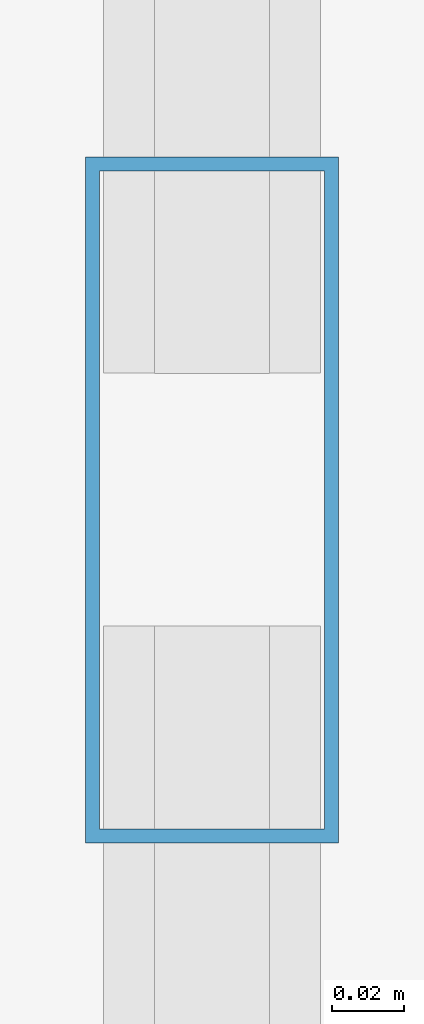
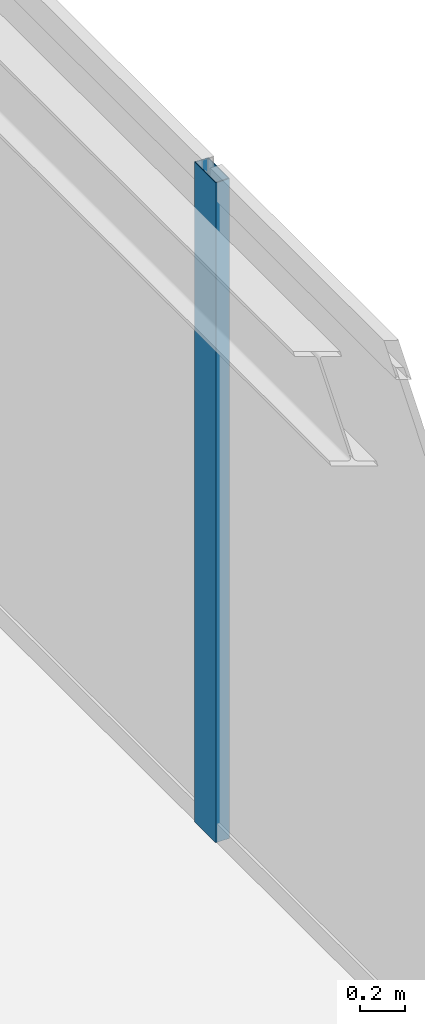
# One storey, part 20 of 32: 1 member, 1 element without a shape of its own.
"""IFC4 building model written with IfcOpenShell, lengths in metres."""

import ifcopenshell
import ifcopenshell.guid

model = None  # the IFC model being written
_history = None  # IfcOwnerHistory: only IFC2X3 demands one
_inside = {}  # id of a spatial element -> (the spatial element, [elements in it])
_under = {}  # id of a project, library or spatial element -> (it, [spatial elements below it])
_declared = {}  # id of a project -> (the project, [libraries it declares])
_typed = {}  # id of a type object -> (the type object, [elements of that type])
_made_of = {}  # id of a material, layer set ... -> (it, [elements and type objects made of it])


def new_model(schema):
    """Start an empty IFC model of exactly this schema.

    Asked for "IFC4X3", IfcOpenShell would pick the latest addendum, in which some entities
    have other attributes; the version numbers below select the first issue.
    IFC2X3 requires an IfcOwnerHistory on every rooted entity: one is made here for all.
    """
    global model, _history
    if schema == "IFC4X3":
        model = ifcopenshell.file(schema_version=(4, 3, 0, 0))
    else:
        model = ifcopenshell.file(schema=schema)
    _inside.clear()
    _under.clear()
    _declared.clear()
    _typed.clear()
    _made_of.clear()
    _history = None
    if model.schema == "IFC2X3":
        org = make("IfcOrganization", Name="unknown")
        user = make(
            "IfcPersonAndOrganization",
            ThePerson=make("IfcPerson", FamilyName="unknown"),
            TheOrganization=org,
        )
        app = make(
            "IfcApplication",
            ApplicationDeveloper=org,
            Version="unknown",
            ApplicationFullName="unknown",
            ApplicationIdentifier="unknown",
        )
        _history = make(
            "IfcOwnerHistory",
            OwningUser=user,
            OwningApplication=app,
            ChangeAction="ADDED",
            CreationDate=0,
        )
    return model


def make(cls, **values):
    """One entity of the class cls with the attributes given. An attribute that is None is left unset."""
    return model.create_entity(
        cls, **{name: value for name, value in values.items() if value is not None}
    )


def rooted(cls, **values):
    """An entity with a GlobalId (a new one), such as an element, a storey or a relation."""
    return make(cls, GlobalId=ifcopenshell.guid.new(), OwnerHistory=_history, **values)


def si_unit(unit_type, name, prefix=None):
    """IfcSIUnit, for example si_unit("LENGTHUNIT", "METRE", prefix="MILLI")."""
    return make("IfcSIUnit", UnitType=unit_type, Prefix=prefix, Name=name)


def assignment(units):
    """IfcUnitAssignment: the units of a project."""
    return None if units is None else make("IfcUnitAssignment", Units=units)


def point(xyz):
    """IfcCartesianPoint."""
    return None if xyz is None else make("IfcCartesianPoint", Coordinates=xyz)


def direction(xyz):
    """IfcDirection."""
    return None if xyz is None else make("IfcDirection", DirectionRatios=xyz)


def frame(location, z_axis=None, x_axis=None):
    """IfcAxis2Placement3D, a coordinate frame: its origin and axes. An axis left out is left unset."""
    return make(
        "IfcAxis2Placement3D",
        Location=point(location),
        Axis=direction(z_axis),
        RefDirection=direction(x_axis),
    )


def frame_2d(location, x_axis=None):
    """IfcAxis2Placement2D, a coordinate frame in the plane: its origin and x axis."""
    return make(
        "IfcAxis2Placement2D", Location=point(location), RefDirection=direction(x_axis)
    )


def origin():
    """The frame at (0, 0, 0) with its axes left unset."""
    return frame((0.0, 0.0, 0.0))


def origin_2d():
    """The frame at (0, 0) in the plane with its x axis left unset."""
    return frame_2d((0.0, 0.0))


def place(relative_to, where):
    """IfcLocalPlacement: puts the frame where relative to a parent placement (None: the world)."""
    return make(
        "IfcLocalPlacement", PlacementRelTo=relative_to, RelativePlacement=where
    )


def context(
    kind, dimensions, precision=None, world=None, true_north=None, identifier=None
):
    """IfcGeometricRepresentationContext, for example the 3D "Model" context."""
    return make(
        "IfcGeometricRepresentationContext",
        ContextIdentifier=identifier,
        ContextType=kind,
        CoordinateSpaceDimension=dimensions,
        Precision=precision,
        WorldCoordinateSystem=world,
        TrueNorth=true_north,
    )


def subcontext(parent, identifier, kind, view, scale=None):
    """IfcGeometricRepresentationSubContext, for example "Body" below "Model"."""
    return make(
        "IfcGeometricRepresentationSubContext",
        ContextIdentifier=identifier,
        ContextType=kind,
        ParentContext=parent,
        TargetScale=scale,
        TargetView=view,
    )


def project(units=None, contexts=None):
    """IfcProject with its units and contexts."""
    return rooted(
        "IfcProject",
        Name="project",
        RepresentationContexts=contexts,
        UnitsInContext=assignment(units),
    )


def spatial(cls, under=None, at=None, **own):
    """A site, building, storey or space (cls), placed at a placement, below another one or the project."""
    s = rooted(cls, ObjectPlacement=at, **own)
    if under is not None:
        _under.setdefault(under.id(), (under, []))[1].append(s)
    return s


def profile(cls, at=None, kind="AREA", **sizes):
    """A parametric profile (cls). Its sizes go by their IFC names, for example OverallWidth=200.0."""
    return make(cls, ProfileType=kind, Position=at, **sizes)


def hollow_rectangle(**sizes):
    """IfcRectangleHollowProfileDef."""
    return profile("IfcRectangleHollowProfileDef", **sizes)


def extrude(swept, where, along, depth):
    """IfcExtrudedAreaSolid: the profile swept, set in the frame where, extruded along a direction by depth."""
    return make(
        "IfcExtrudedAreaSolid",
        SweptArea=swept,
        Position=where,
        ExtrudedDirection=direction(along),
        Depth=depth,
    )


def shape(context_of_items, identifier, shape_type, items):
    """IfcShapeRepresentation: the items that make up one representation, for example the "Body"."""
    return make(
        "IfcShapeRepresentation",
        ContextOfItems=context_of_items,
        RepresentationIdentifier=identifier,
        RepresentationType=shape_type,
        Items=items,
    )


def source(mapping_origin, context_of_items, identifier, shape_type, items):
    """IfcRepresentationMap: a shape defined once, which mapped items show again and again."""
    return make(
        "IfcRepresentationMap",
        MappingOrigin=mapping_origin,
        MappedRepresentation=shape(context_of_items, identifier, shape_type, items),
    )


def transform(
    local_origin,
    x_axis=None,
    y_axis=None,
    z_axis=None,
    scale=None,
    scale2=None,
    scale3=None,
    uniform=True,
):
    """IfcCartesianTransformationOperator3D, or its non-uniform kind. x_axis, y_axis, z_axis: its Axis1, 2, 3."""
    if uniform:
        return make(
            "IfcCartesianTransformationOperator3D",
            Axis1=direction(x_axis),
            Axis2=direction(y_axis),
            LocalOrigin=point(local_origin),
            Scale=scale,
            Axis3=direction(z_axis),
        )
    return make(
        "IfcCartesianTransformationOperator3DnonUniform",
        Axis1=direction(x_axis),
        Axis2=direction(y_axis),
        LocalOrigin=point(local_origin),
        Scale=scale,
        Axis3=direction(z_axis),
        Scale2=scale2,
        Scale3=scale3,
    )


def mapped(mapping_source, mapping_target):
    """IfcMappedItem: shows the shape of a source again, moved by a transform."""
    return make(
        "IfcMappedItem", MappingSource=mapping_source, MappingTarget=mapping_target
    )


def material(Name=None, Category=None):
    """IfcMaterial."""
    return make("IfcMaterial", Name=Name, Category=Category)


def layer(
    of_material, thickness, ventilated=None, Name=None, Category=None, Priority=None
):
    """IfcMaterialLayer: one layer of a wall or slab, of a material (None: an air gap)."""
    return make(
        "IfcMaterialLayer",
        Material=of_material,
        LayerThickness=thickness,
        IsVentilated=ventilated,
        Name=Name,
        Category=Category,
        Priority=Priority,
    )


def layer_set(layers, Name=None):
    """IfcMaterialLayerSet."""
    return make("IfcMaterialLayerSet", MaterialLayers=layers, LayerSetName=Name)


def material_profile(
    of_material, cross_section, Name=None, Category=None, Priority=None
):
    """IfcMaterialProfile: a cross section and its material."""
    return make(
        "IfcMaterialProfile",
        Name=Name,
        Material=of_material,
        Profile=cross_section,
        Priority=Priority,
        Category=Category,
    )


def profile_set(profiles, Name=None, composite=None):
    """IfcMaterialProfileSet."""
    return make(
        "IfcMaterialProfileSet",
        Name=Name,
        MaterialProfiles=profiles,
        CompositeProfile=composite,
    )


def made_of(thing, what):
    """Note that an element or type object is made of a material, layer set ...; save() writes the relation."""
    if what is not None:
        _made_of.setdefault(what.id(), (what, []))[1].append(thing)
    return thing


def type_object(cls, material=None, **own):
    """A type object (cls), such as IfcWallType, which elements share."""
    return made_of(rooted(cls, **own), material)


def type_shapes(of_type, sources):
    """Give a type object the sources (RepresentationMaps) that its elements show as mapped items."""
    of_type.RepresentationMaps = sources


def element(
    cls,
    number,
    at=None,
    inside=None,
    cuts=None,
    type_object=None,
    material=None,
    context=None,
    identifier="Body",
    shape_type=None,
    held_by="IfcProductDefinitionShape",
    body=None,
    shapes=None,
    **own,
):
    """One element of the class cls, such as IfcWall. Its Tag is "e" and its number.

    at: its placement. inside: the storey or other place that contains it. cuts: it is an
    opening in that element (IfcRelVoidsElement). A single representation is given by context,
    identifier, shape_type and body (its items); several are given by shapes. held_by: the class
    of the entity that holds the representations. save() writes the other relations.
    """
    e = rooted(cls, Tag="e%d" % number, ObjectPlacement=at, **own)
    if body is not None:
        shapes = [shape(context, identifier, shape_type, body)]
    if shapes is not None:
        e.Representation = make(held_by, Representations=shapes)
    if inside is not None:
        _inside.setdefault(inside.id(), (inside, []))[1].append(e)
    if cuts is not None:
        rooted(
            "IfcRelVoidsElement", RelatingBuildingElement=cuts, RelatedOpeningElement=e
        )
    if type_object is not None:
        _typed.setdefault(type_object.id(), (type_object, []))[1].append(e)
    return made_of(e, material)


def aggregate(whole, parts):
    """IfcRelAggregates: a whole, such as a stair, and the parts it consists of."""
    return rooted("IfcRelAggregates", RelatingObject=whole, RelatedObjects=parts)


def save(model, path):
    """Write the relations noted so far, then the file.

    IfcRelAggregates (storeys below a building ...), IfcRelContainedInSpatialStructure (elements
    in a storey), IfcRelDefinesByType, IfcRelAssociatesMaterial and IfcRelDeclares: one each for
    every whole, place, type object, material and project.
    """
    for whole, parts in _under.values():
        aggregate(whole, parts)
    for where, things in _inside.values():
        rooted(
            "IfcRelContainedInSpatialStructure",
            RelatedElements=things,
            RelatingStructure=where,
        )
    for kind, things in _typed.values():
        rooted("IfcRelDefinesByType", RelatedObjects=things, RelatingType=kind)
    for what, things in _made_of.values():
        rooted("IfcRelAssociatesMaterial", RelatedObjects=things, RelatingMaterial=what)
    for by, libraries in _declared.values():
        rooted("IfcRelDeclares", RelatingContext=by, RelatedDefinitions=libraries)
    model.write(path)


model = new_model("IFC4")

# Units and contexts
model_context = context("Model", 3, precision=1e-05, world=origin(), true_north=direction((0.0, 1.0)))
body_context = subcontext(model_context, "Body", "Model", "MODEL_VIEW")
ifc_project = project(units=[si_unit("LENGTHUNIT", "METRE"), si_unit("AREAUNIT", "SQUARE_METRE"), si_unit("VOLUMEUNIT", "CUBIC_METRE"), si_unit("PLANEANGLEUNIT", "RADIAN"), si_unit("MASSUNIT", "GRAM", prefix="KILO")], contexts=[model_context])

# Site, building, storey
site_placement = place(None, origin())
site = spatial("IfcSite", under=ifc_project, at=site_placement, CompositionType="ELEMENT")
building_placement = place(site_placement, origin())
building = spatial("IfcBuilding", under=site, at=building_placement, Name="Varnel Quay Broadcast Tower", CompositionType="ELEMENT")
storey_placement = place(building_placement, frame((0.0, 0.0, 78.300048828125)))
storey = spatial("IfcBuildingStorey", under=building, at=storey_placement, Name="L18", CompositionType="ELEMENT", Elevation=78.300048828125)

# Curtain wall, member
ifc_material = material(Name="Anodised Bronze Aluminium 6063-T6", Category="aluminium")
ifc_layer = layer(ifc_material, 0.18994140625, Name="Anodised Bronze Aluminium 6063-T6")
ifc_layer_set = layer_set([ifc_layer], Name="Anodised Bronze Aluminium 6063-T6")
curtain_wall_type = type_object("IfcCurtainWallType", Name="CW_LowerTower", PredefinedType="NOTDEFINED", material=ifc_layer_set)
curtain_wall_placement = place(storey_placement, origin())
curtain_wall = element("IfcCurtainWall", 1, at=curtain_wall_placement, inside=storey, type_object=curtain_wall_type, Name="L18 East Unitised Curtain Wall", PredefinedType="NOTDEFINED")
ifc_material_profile = material_profile(ifc_material, hollow_rectangle(XDim=0.070068359375, YDim=0.18994140625, WallThickness=0.00390625, at=origin_2d()), Name="ALU70X190X4")
ifc_profile_set = profile_set([ifc_material_profile], Name="Anodised Bronze Aluminium 6063-T6")
member_type = type_object("IfcMemberType", Name="Mull_CWS-02", PredefinedType="MULLION", material=ifc_profile_set)
shared_shape = source(origin(), body_context, "Body", "SweptSolid", [
    extrude(hollow_rectangle(XDim=0.070068359375, YDim=0.18994140625, WallThickness=0.00390625, at=origin_2d()), origin(), (0.0, 0.0, 1.0), 3.579833984375),
])
type_shapes(member_type, [shared_shape])
member_placement = place(storey_placement, frame((65.85009765625, 30.39990234375, 0.0), z_axis=(0.0, 0.0, 1.0), x_axis=(-1.0, 0.0, 0.0)))
member = element("IfcMember", 2, at=member_placement, type_object=member_type, Name="CWS-02 mullion 3", PredefinedType="MULLION", context=body_context, shape_type="MappedRepresentation", body=[
    mapped(shared_shape, transform((0.0, 0.0, 0.0), x_axis=(1.0, 0.0, 0.0), y_axis=(0.0, 1.0, 0.0), z_axis=(0.0, 0.0, 1.0), scale=1.0)),
])
aggregate(curtain_wall, [member])

save(model, "model.ifc")
